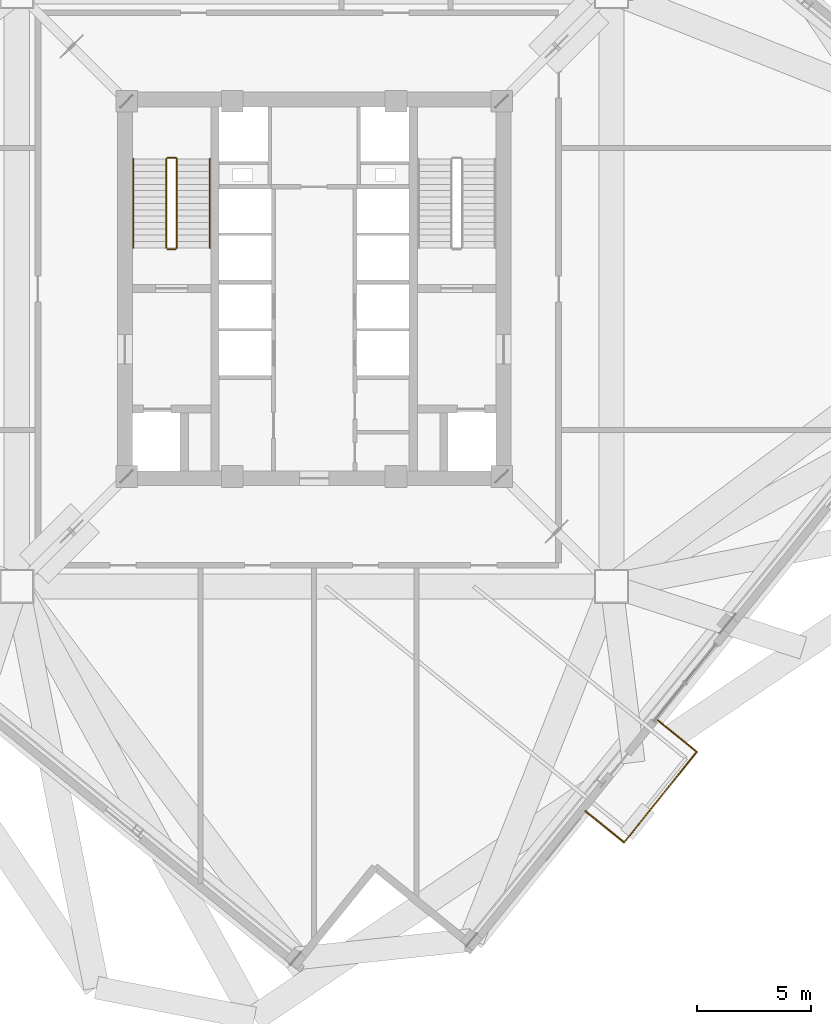
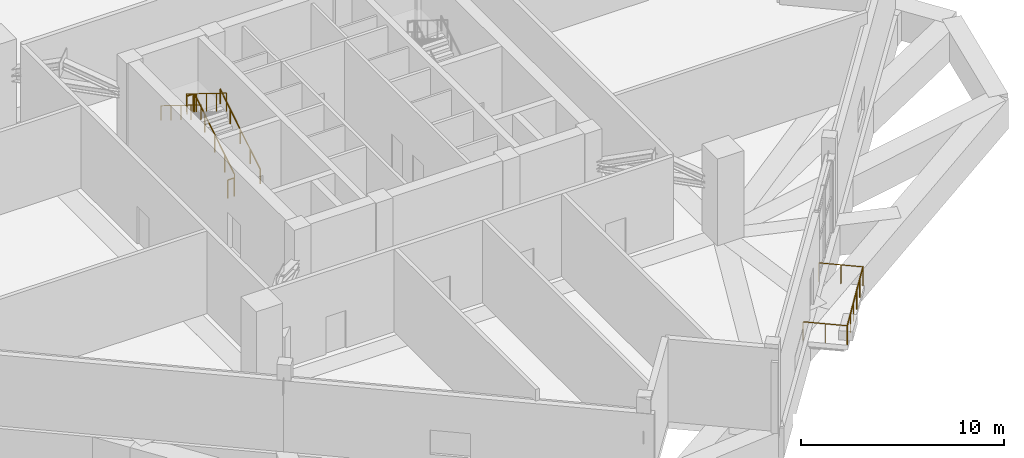
# One storey, part 20 of 22: 9 railings.
"""IFC4 building model written with IfcOpenShell, lengths in metres."""

import ifcopenshell
import ifcopenshell.guid

model = None  # the IFC model being written
_history = None  # IfcOwnerHistory: only IFC2X3 demands one
_inside = {}  # id of a spatial element -> (the spatial element, [elements in it])
_under = {}  # id of a project, library or spatial element -> (it, [spatial elements below it])
_declared = {}  # id of a project -> (the project, [libraries it declares])
_typed = {}  # id of a type object -> (the type object, [elements of that type])
_made_of = {}  # id of a material, layer set ... -> (it, [elements and type objects made of it])


def new_model(schema):
    """Start an empty IFC model of exactly this schema.

    Asked for "IFC4X3", IfcOpenShell would pick the latest addendum, in which some entities
    have other attributes; the version numbers below select the first issue.
    IFC2X3 requires an IfcOwnerHistory on every rooted entity: one is made here for all.
    """
    global model, _history
    if schema == "IFC4X3":
        model = ifcopenshell.file(schema_version=(4, 3, 0, 0))
    else:
        model = ifcopenshell.file(schema=schema)
    _inside.clear()
    _under.clear()
    _declared.clear()
    _typed.clear()
    _made_of.clear()
    _history = None
    if model.schema == "IFC2X3":
        org = make("IfcOrganization", Name="unknown")
        user = make(
            "IfcPersonAndOrganization",
            ThePerson=make("IfcPerson", FamilyName="unknown"),
            TheOrganization=org,
        )
        app = make(
            "IfcApplication",
            ApplicationDeveloper=org,
            Version="unknown",
            ApplicationFullName="unknown",
            ApplicationIdentifier="unknown",
        )
        _history = make(
            "IfcOwnerHistory",
            OwningUser=user,
            OwningApplication=app,
            ChangeAction="ADDED",
            CreationDate=0,
        )
    return model


def make(cls, **values):
    """One entity of the class cls with the attributes given. An attribute that is None is left unset."""
    return model.create_entity(
        cls, **{name: value for name, value in values.items() if value is not None}
    )


def rooted(cls, **values):
    """An entity with a GlobalId (a new one), such as an element, a storey or a relation."""
    return make(cls, GlobalId=ifcopenshell.guid.new(), OwnerHistory=_history, **values)


def si_unit(unit_type, name, prefix=None):
    """IfcSIUnit, for example si_unit("LENGTHUNIT", "METRE", prefix="MILLI")."""
    return make("IfcSIUnit", UnitType=unit_type, Prefix=prefix, Name=name)


def assignment(units):
    """IfcUnitAssignment: the units of a project."""
    return None if units is None else make("IfcUnitAssignment", Units=units)


def point(xyz):
    """IfcCartesianPoint."""
    return None if xyz is None else make("IfcCartesianPoint", Coordinates=xyz)


def direction(xyz):
    """IfcDirection."""
    return None if xyz is None else make("IfcDirection", DirectionRatios=xyz)


def frame(location, z_axis=None, x_axis=None):
    """IfcAxis2Placement3D, a coordinate frame: its origin and axes. An axis left out is left unset."""
    return make(
        "IfcAxis2Placement3D",
        Location=point(location),
        Axis=direction(z_axis),
        RefDirection=direction(x_axis),
    )


def frame_2d(location, x_axis=None):
    """IfcAxis2Placement2D, a coordinate frame in the plane: its origin and x axis."""
    return make(
        "IfcAxis2Placement2D", Location=point(location), RefDirection=direction(x_axis)
    )


def origin():
    """The frame at (0, 0, 0) with its axes left unset."""
    return frame((0.0, 0.0, 0.0))


def origin_2d():
    """The frame at (0, 0) in the plane with its x axis left unset."""
    return frame_2d((0.0, 0.0))


def place(relative_to, where):
    """IfcLocalPlacement: puts the frame where relative to a parent placement (None: the world)."""
    return make(
        "IfcLocalPlacement", PlacementRelTo=relative_to, RelativePlacement=where
    )


def context(
    kind, dimensions, precision=None, world=None, true_north=None, identifier=None
):
    """IfcGeometricRepresentationContext, for example the 3D "Model" context."""
    return make(
        "IfcGeometricRepresentationContext",
        ContextIdentifier=identifier,
        ContextType=kind,
        CoordinateSpaceDimension=dimensions,
        Precision=precision,
        WorldCoordinateSystem=world,
        TrueNorth=true_north,
    )


def subcontext(parent, identifier, kind, view, scale=None):
    """IfcGeometricRepresentationSubContext, for example "Body" below "Model"."""
    return make(
        "IfcGeometricRepresentationSubContext",
        ContextIdentifier=identifier,
        ContextType=kind,
        ParentContext=parent,
        TargetScale=scale,
        TargetView=view,
    )


def project(units=None, contexts=None):
    """IfcProject with its units and contexts."""
    return rooted(
        "IfcProject",
        Name="project",
        RepresentationContexts=contexts,
        UnitsInContext=assignment(units),
    )


def spatial(cls, under=None, at=None, **own):
    """A site, building, storey or space (cls), placed at a placement, below another one or the project."""
    s = rooted(cls, ObjectPlacement=at, **own)
    if under is not None:
        _under.setdefault(under.id(), (under, []))[1].append(s)
    return s


def profile(cls, at=None, kind="AREA", **sizes):
    """A parametric profile (cls). Its sizes go by their IFC names, for example OverallWidth=200.0."""
    return make(cls, ProfileType=kind, Position=at, **sizes)


def circle(**sizes):
    """IfcCircleProfileDef."""
    return profile("IfcCircleProfileDef", **sizes)


def extrude(swept, where, along, depth):
    """IfcExtrudedAreaSolid: the profile swept, set in the frame where, extruded along a direction by depth."""
    return make(
        "IfcExtrudedAreaSolid",
        SweptArea=swept,
        Position=where,
        ExtrudedDirection=direction(along),
        Depth=depth,
    )


def shape(context_of_items, identifier, shape_type, items):
    """IfcShapeRepresentation: the items that make up one representation, for example the "Body"."""
    return make(
        "IfcShapeRepresentation",
        ContextOfItems=context_of_items,
        RepresentationIdentifier=identifier,
        RepresentationType=shape_type,
        Items=items,
    )


def source(mapping_origin, context_of_items, identifier, shape_type, items):
    """IfcRepresentationMap: a shape defined once, which mapped items show again and again."""
    return make(
        "IfcRepresentationMap",
        MappingOrigin=mapping_origin,
        MappedRepresentation=shape(context_of_items, identifier, shape_type, items),
    )


def transform(
    local_origin,
    x_axis=None,
    y_axis=None,
    z_axis=None,
    scale=None,
    scale2=None,
    scale3=None,
    uniform=True,
):
    """IfcCartesianTransformationOperator3D, or its non-uniform kind. x_axis, y_axis, z_axis: its Axis1, 2, 3."""
    if uniform:
        return make(
            "IfcCartesianTransformationOperator3D",
            Axis1=direction(x_axis),
            Axis2=direction(y_axis),
            LocalOrigin=point(local_origin),
            Scale=scale,
            Axis3=direction(z_axis),
        )
    return make(
        "IfcCartesianTransformationOperator3DnonUniform",
        Axis1=direction(x_axis),
        Axis2=direction(y_axis),
        LocalOrigin=point(local_origin),
        Scale=scale,
        Axis3=direction(z_axis),
        Scale2=scale2,
        Scale3=scale3,
    )


def mapped(mapping_source, mapping_target):
    """IfcMappedItem: shows the shape of a source again, moved by a transform."""
    return make(
        "IfcMappedItem", MappingSource=mapping_source, MappingTarget=mapping_target
    )


def material(Name=None, Category=None):
    """IfcMaterial."""
    return make("IfcMaterial", Name=Name, Category=Category)


def made_of(thing, what):
    """Note that an element or type object is made of a material, layer set ...; save() writes the relation."""
    if what is not None:
        _made_of.setdefault(what.id(), (what, []))[1].append(thing)
    return thing


def type_object(cls, material=None, **own):
    """A type object (cls), such as IfcWallType, which elements share."""
    return made_of(rooted(cls, **own), material)


def element(
    cls,
    number,
    at=None,
    inside=None,
    cuts=None,
    type_object=None,
    material=None,
    context=None,
    identifier="Body",
    shape_type=None,
    held_by="IfcProductDefinitionShape",
    body=None,
    shapes=None,
    **own,
):
    """One element of the class cls, such as IfcWall. Its Tag is "e" and its number.

    at: its placement. inside: the storey or other place that contains it. cuts: it is an
    opening in that element (IfcRelVoidsElement). A single representation is given by context,
    identifier, shape_type and body (its items); several are given by shapes. held_by: the class
    of the entity that holds the representations. save() writes the other relations.
    """
    e = rooted(cls, Tag="e%d" % number, ObjectPlacement=at, **own)
    if body is not None:
        shapes = [shape(context, identifier, shape_type, body)]
    if shapes is not None:
        e.Representation = make(held_by, Representations=shapes)
    if inside is not None:
        _inside.setdefault(inside.id(), (inside, []))[1].append(e)
    if cuts is not None:
        rooted(
            "IfcRelVoidsElement", RelatingBuildingElement=cuts, RelatedOpeningElement=e
        )
    if type_object is not None:
        _typed.setdefault(type_object.id(), (type_object, []))[1].append(e)
    return made_of(e, material)


def aggregate(whole, parts):
    """IfcRelAggregates: a whole, such as a stair, and the parts it consists of."""
    return rooted("IfcRelAggregates", RelatingObject=whole, RelatedObjects=parts)


def save(model, path):
    """Write the relations noted so far, then the file.

    IfcRelAggregates (storeys below a building ...), IfcRelContainedInSpatialStructure (elements
    in a storey), IfcRelDefinesByType, IfcRelAssociatesMaterial and IfcRelDeclares: one each for
    every whole, place, type object, material and project.
    """
    for whole, parts in _under.values():
        aggregate(whole, parts)
    for where, things in _inside.values():
        rooted(
            "IfcRelContainedInSpatialStructure",
            RelatedElements=things,
            RelatingStructure=where,
        )
    for kind, things in _typed.values():
        rooted("IfcRelDefinesByType", RelatedObjects=things, RelatingType=kind)
    for what, things in _made_of.values():
        rooted("IfcRelAssociatesMaterial", RelatedObjects=things, RelatingMaterial=what)
    for by, libraries in _declared.values():
        rooted("IfcRelDeclares", RelatingContext=by, RelatedDefinitions=libraries)
    model.write(path)


model = new_model("IFC4")

# Units and contexts
model_context = context("Model", 3, precision=1e-05, world=origin(), true_north=direction((0.0, 1.0)))
body_context = subcontext(model_context, "Body", "Model", "MODEL_VIEW")
ifc_project = project(units=[si_unit("LENGTHUNIT", "METRE"), si_unit("AREAUNIT", "SQUARE_METRE"), si_unit("VOLUMEUNIT", "CUBIC_METRE"), si_unit("PLANEANGLEUNIT", "RADIAN"), si_unit("MASSUNIT", "GRAM", prefix="KILO"), si_unit("THERMODYNAMICTEMPERATUREUNIT", "KELVIN")], contexts=[model_context])

# Site, building, storey
site_placement = place(None, origin())
site = spatial("IfcSite", under=ifc_project, at=site_placement, CompositionType="ELEMENT")
building_placement = place(site_placement, origin())
building = spatial("IfcBuilding", under=site, at=building_placement, Name="Kosmvard Interchange Tower", CompositionType="ELEMENT")
storey_placement = place(building_placement, frame((0.0, 0.0, 200.39990234375)))
storey = spatial("IfcBuildingStorey", under=building, at=storey_placement, Name="L48", CompositionType="ELEMENT", Elevation=200.39990234375)

# Railings
ifc_material = material(Name="Steel S355", Category="steel")
railing_type_1 = type_object("IfcRailingType", Name="Observation & Balcony Glass-Infill Balustrade 1150", PredefinedType="BALUSTRADE", material=ifc_material)
shared_shape_1 = source(origin(), body_context, "Body", "SweptSolid", [
    extrude(circle(Radius=0.02392578125, at=origin_2d()), frame((0.0, 0.0, 1.1259765625), z_axis=(0.777195763313, -0.629258885904, 0.0), x_axis=(0.629258885904, 0.777195763313, 0.0)), (0.0, 0.0, 1.0), 2.199951171875),
    extrude(circle(Radius=0.02099609375, at=origin_2d()), origin(), (0.0, 0.0, 1.0), 1.101806640625),
    extrude(circle(Radius=0.02099609375, at=origin_2d()), frame((0.85498046875, -0.692138671875, 0.0)), (0.0, 0.0, 1.0), 1.101806640625),
    extrude(circle(Radius=0.02099609375, at=origin_2d()), frame((1.709716796875, -1.38427734375, 0.0)), (0.0, 0.0, 1.0), 1.101806640625),
])
railing_1_placement = place(storey_placement, frame((11.92626953125, -22.95947265625, 0.0)))
element("IfcRailing", 1, at=railing_1_placement, inside=storey, type_object=railing_type_1, Name="L48 Outdoor Terrace Guard SKG-L48-S-A", PredefinedType="BALUSTRADE", context=body_context, shape_type="MappedRepresentation", body=[
    mapped(shared_shape_1, transform((0.0, 0.0, 0.0), scale=1.0)),
])
shared_shape_2 = source(origin(), body_context, "Body", "SweptSolid", [
    extrude(circle(Radius=0.02392578125, at=origin_2d()), frame((0.0, 0.0, 1.1259765625), z_axis=(0.624759203114, 0.780817480673, 0.0), x_axis=(-0.780817480673, 0.624759203114, 0.0)), (0.0, 0.0, 1.0), 5.104736328125),
    extrude(circle(Radius=0.02099609375, at=origin_2d()), origin(), (0.0, 0.0, 1.0), 1.101806640625),
    extrude(circle(Radius=0.02099609375, at=origin_2d()), frame((0.637939453125, 0.797119140625, 0.0)), (0.0, 0.0, 1.0), 1.101806640625),
    extrude(circle(Radius=0.02099609375, at=origin_2d()), frame((1.275634765625, 1.59423828125, 0.0)), (0.0, 0.0, 1.0), 1.101806640625),
    extrude(circle(Radius=0.02099609375, at=origin_2d()), frame((1.91357421875, 2.3916015625, 0.0)), (0.0, 0.0, 1.0), 1.101806640625),
    extrude(circle(Radius=0.02099609375, at=origin_2d()), frame((2.55126953125, 3.188720703125, 0.0)), (0.0, 0.0, 1.0), 1.101806640625),
    extrude(circle(Radius=0.02099609375, at=origin_2d()), frame((3.189208984375, 3.98583984375, 0.0)), (0.0, 0.0, 1.0), 1.101806640625),
])
railing_2_placement = place(storey_placement, frame((13.635986328125, -24.34375, 0.0)))
element("IfcRailing", 2, at=railing_2_placement, inside=storey, type_object=railing_type_1, Name="L48 Outdoor Terrace Guard SKG-L48-S-B", PredefinedType="BALUSTRADE", context=body_context, shape_type="MappedRepresentation", body=[
    mapped(shared_shape_2, transform((0.0, 0.0, 0.0), scale=1.0)),
])
shared_shape_3 = source(origin(), body_context, "Body", "SweptSolid", [
    extrude(circle(Radius=0.02392578125, at=origin_2d()), frame((0.0, 0.0, 1.1259765625), z_axis=(-0.777141488432, 0.629325914736, 0.0), x_axis=(-0.629325914736, -0.777141488432, 0.0)), (0.0, 0.0, 1.0), 2.199951171875),
    extrude(circle(Radius=0.02099609375, at=origin_2d()), origin(), (0.0, 0.0, 1.0), 1.101806640625),
    extrude(circle(Radius=0.02099609375, at=origin_2d()), frame((-0.85498046875, 0.6923828125, 0.0)), (0.0, 0.0, 1.0), 1.101806640625),
    extrude(circle(Radius=0.02099609375, at=origin_2d()), frame((-1.709716796875, 1.384521484375, 0.0)), (0.0, 0.0, 1.0), 1.101806640625),
])
railing_3_placement = place(storey_placement, frame((16.8251953125, -20.35791015625, 0.0)))
element("IfcRailing", 3, at=railing_3_placement, inside=storey, type_object=railing_type_1, Name="L48 Outdoor Terrace Guard SKG-L48-S-C", PredefinedType="BALUSTRADE", context=body_context, shape_type="MappedRepresentation", body=[
    mapped(shared_shape_3, transform((0.0, 0.0, 0.0), scale=1.0)),
])
railing_type_2 = type_object("IfcRailingType", Name="Stair & Terrace Safety Guardrail 1100 Steel", PredefinedType="GUARDRAIL", material=ifc_material)
shared_shape_4 = source(origin(), body_context, "Body", "SweptSolid", [
    extrude(circle(Radius=0.02392578125, at=origin_2d()), frame((0.0, 0.0, 1.076171875), z_axis=(-1.0, 0.0, 0.0), x_axis=(0.0, -1.0, 0.0)), (0.0, 0.0, 1.0), 0.35986328125),
    extrude(circle(Radius=0.02099609375, at=origin_2d()), origin(), (0.0, 0.0, 1.0), 1.052001953125),
    extrude(circle(Radius=0.02099609375, at=origin_2d()), frame((-0.35986328125, 0.0, 0.0)), (0.0, 0.0, 1.0), 1.052001953125),
])
for number, where, name in (
    (4, (-6.090087890625, 5.77001953125, 2.60009765625), "L48 ST-1 stair guard 2"),
    (5, (-6.090087890625, 1.75, 0.0), "L48 ST-1 stair guard 4"),
):
    element("IfcRailing", number, at=place(storey_placement, frame(where)), inside=storey, type_object=railing_type_2, Name=name, PredefinedType="GUARDRAIL", context=body_context, shape_type="MappedRepresentation", body=[
        mapped(shared_shape_4, transform((0.0, 0.0, 0.0), scale=1.0)),
    ])
shared_shape_5 = source(origin(), body_context, "Body", "SweptSolid", [
    extrude(circle(Radius=0.02392578125, at=origin_2d()), frame((0.0, 0.0, 1.076171875), z_axis=(0.0, 0.850251603719, 0.526376491091), x_axis=(-1.0, 0.0, 0.0)), (0.0, 0.0, 1.0), 4.6103515625),
    extrude(circle(Radius=0.02099609375, at=origin_2d()), origin(), (0.0, 0.0, 1.0), 1.052001953125),
    extrude(circle(Radius=0.02099609375, at=origin_2d()), frame((0.0, 0.97998046875, 0.606689453125)), (0.0, 0.0, 1.0), 1.052001953125),
    extrude(circle(Radius=0.02099609375, at=origin_2d()), frame((0.0, 1.9599609375, 1.21337890625)), (0.0, 0.0, 1.0), 1.052001953125),
    extrude(circle(Radius=0.02099609375, at=origin_2d()), frame((0.0, 2.93994140625, 1.820068359375)), (0.0, 0.0, 1.0), 1.052001953125),
    extrude(circle(Radius=0.02099609375, at=origin_2d()), frame((0.0, 3.919921875, 2.4267578125)), (0.0, 0.0, 1.0), 1.052001953125),
])
railing_4_placement = place(storey_placement, frame((-6.0400390625, 1.800048828125, 0.17333984375)))
element("IfcRailing", 6, at=railing_4_placement, inside=storey, type_object=railing_type_2, Name="L48 ST-1 stair guard 1", PredefinedType="GUARDRAIL", context=body_context, shape_type="MappedRepresentation", body=[
    mapped(shared_shape_5, transform((0.0, 0.0, 0.0), scale=1.0)),
])
railing_type_3 = type_object("IfcRailingType", Name="Wall-Mounted Stair Handrail 900 Steel", PredefinedType="HANDRAIL", material=ifc_material)
shared_shape_6 = source(origin(), body_context, "Body", "SweptSolid", [
    extrude(circle(Radius=0.02392578125, at=origin_2d()), frame((0.0, 0.0, 0.8759765625), z_axis=(0.0, 0.850251603719, 0.526376491091), x_axis=(-1.0, 0.0, 0.0)), (0.0, 0.0, 1.0), 4.6103515625),
    extrude(circle(Radius=0.02099609375, at=origin_2d()), origin(), (0.0, 0.0, 1.0), 0.851806640625),
    extrude(circle(Radius=0.02099609375, at=origin_2d()), frame((0.0, 0.97998046875, 0.606689453125)), (0.0, 0.0, 1.0), 0.851806640625),
    extrude(circle(Radius=0.02099609375, at=origin_2d()), frame((0.0, 1.9599609375, 1.21337890625)), (0.0, 0.0, 1.0), 0.851806640625),
    extrude(circle(Radius=0.02099609375, at=origin_2d()), frame((0.0, 2.93994140625, 1.820068359375)), (0.0, 0.0, 1.0), 0.851806640625),
    extrude(circle(Radius=0.02099609375, at=origin_2d()), frame((0.0, 3.919921875, 2.4267578125)), (0.0, 0.0, 1.0), 0.851806640625),
])
railing_5_placement = place(storey_placement, frame((-4.590087890625, 1.800048828125, 0.17333984375)))
element("IfcRailing", 7, at=railing_5_placement, inside=storey, type_object=railing_type_3, Name="L48 ST-1 stair handrail 1", PredefinedType="HANDRAIL", context=body_context, shape_type="MappedRepresentation", body=[
    mapped(shared_shape_6, transform((0.0, 0.0, 0.0), scale=1.0)),
])
shared_shape_7 = source(origin(), body_context, "Body", "SweptSolid", [
    extrude(circle(Radius=0.02392578125, at=origin_2d()), frame((0.0, 0.0, 1.076171875), z_axis=(0.0, -0.850251603719, 0.526376491091), x_axis=(1.0, 0.0, 0.0)), (0.0, 0.0, 1.0), 4.6103515625),
    extrude(circle(Radius=0.02099609375, at=origin_2d()), origin(), (0.0, 0.0, 1.0), 1.052001953125),
    extrude(circle(Radius=0.02099609375, at=origin_2d()), frame((0.0, -0.97998046875, 0.606689453125)), (0.0, 0.0, 1.0), 1.052001953125),
    extrude(circle(Radius=0.02099609375, at=origin_2d()), frame((0.0, -1.9599609375, 1.21337890625)), (0.0, 0.0, 1.0), 1.052001953125),
    extrude(circle(Radius=0.02099609375, at=origin_2d()), frame((0.0, -2.93994140625, 1.820068359375)), (0.0, 0.0, 1.0), 1.052001953125),
    extrude(circle(Radius=0.02099609375, at=origin_2d()), frame((0.0, -3.919921875, 2.4267578125)), (0.0, 0.0, 1.0), 1.052001953125),
])
railing_6_placement = place(storey_placement, frame((-6.5, 5.719970703125, 2.7734375)))
element("IfcRailing", 8, at=railing_6_placement, inside=storey, type_object=railing_type_2, Name="L48 ST-1 stair guard 3", PredefinedType="GUARDRAIL", context=body_context, shape_type="MappedRepresentation", body=[
    mapped(shared_shape_7, transform((0.0, 0.0, 0.0), scale=1.0)),
])
shared_shape_8 = source(origin(), body_context, "Body", "SweptSolid", [
    extrude(circle(Radius=0.02392578125, at=origin_2d()), frame((0.0, 0.0, 0.8759765625), z_axis=(0.0, -0.850251603719, 0.526376491091), x_axis=(1.0, 0.0, 0.0)), (0.0, 0.0, 1.0), 4.6103515625),
    extrude(circle(Radius=0.02099609375, at=origin_2d()), origin(), (0.0, 0.0, 1.0), 0.851806640625),
    extrude(circle(Radius=0.02099609375, at=origin_2d()), frame((0.0, -0.97998046875, 0.606689453125)), (0.0, 0.0, 1.0), 0.851806640625),
    extrude(circle(Radius=0.02099609375, at=origin_2d()), frame((0.0, -1.9599609375, 1.21337890625)), (0.0, 0.0, 1.0), 0.851806640625),
    extrude(circle(Radius=0.02099609375, at=origin_2d()), frame((0.0, -2.93994140625, 1.820068359375)), (0.0, 0.0, 1.0), 0.851806640625),
    extrude(circle(Radius=0.02099609375, at=origin_2d()), frame((0.0, -3.919921875, 2.4267578125)), (0.0, 0.0, 1.0), 0.851806640625),
])
railing_7_placement = place(storey_placement, frame((-7.949951171875, 5.719970703125, 2.7734375)))
element("IfcRailing", 9, at=railing_7_placement, inside=storey, type_object=railing_type_3, Name="L48 ST-1 stair handrail 2", PredefinedType="HANDRAIL", context=body_context, shape_type="MappedRepresentation", body=[
    mapped(shared_shape_8, transform((0.0, 0.0, 0.0), scale=1.0)),
])

save(model, "model.ifc")
